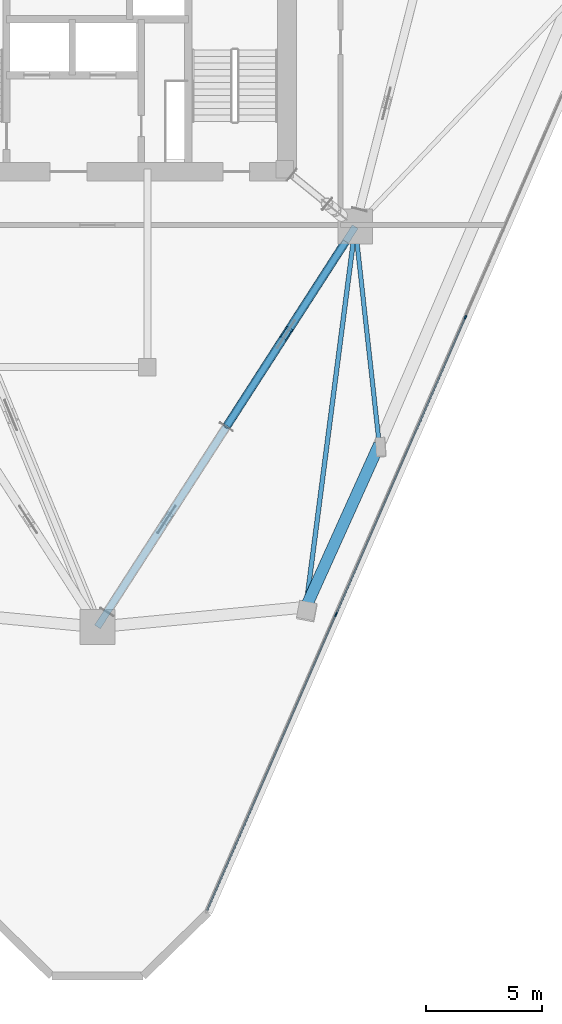
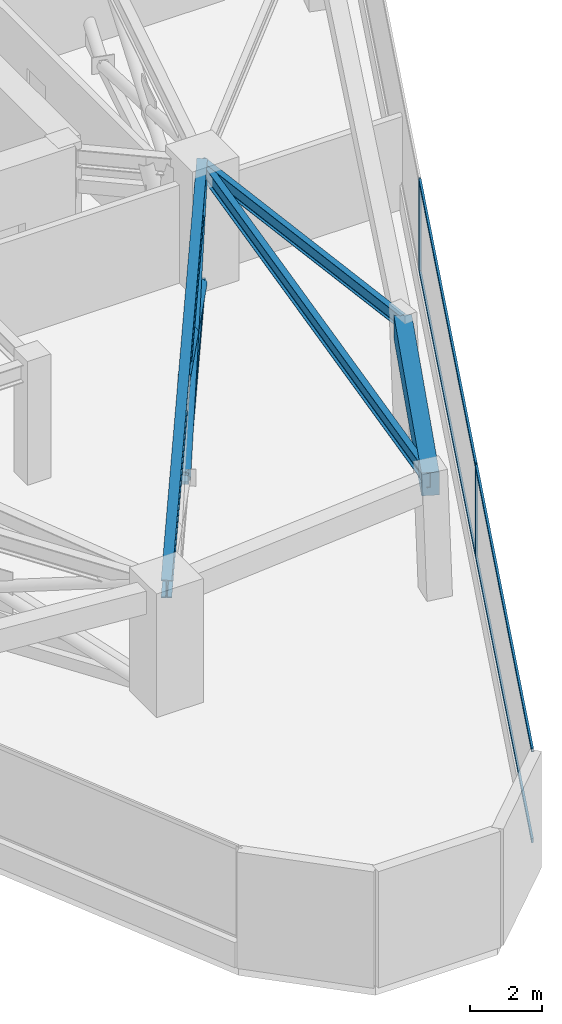
# One storey, part 4 of 13: 11 members, 4 beams, 1 element without a shape of its own.
"""IFC4 building model written with IfcOpenShell, lengths in metres."""

from ifc_helpers import new_model, si_unit, direction, frame, origin, origin_2d, place, context, subcontext, project, spatial, rectangle, hollow_rectangle, hollow_circle, i_section, extrude, material, layer, layer_set, material_profile, profile_set, type_object, element, aggregate, save


model = new_model("IFC4")

# Units and contexts
model_context = context("Model", 3, precision=1e-05, world=origin(), true_north=direction((0.0, 1.0)))
body_context = subcontext(model_context, "Body", "Model", "MODEL_VIEW")
ifc_project = project(units=[si_unit("LENGTHUNIT", "METRE"), si_unit("AREAUNIT", "SQUARE_METRE"), si_unit("VOLUMEUNIT", "CUBIC_METRE"), si_unit("PLANEANGLEUNIT", "RADIAN"), si_unit("MASSUNIT", "GRAM", prefix="KILO")], contexts=[model_context])

# Site, building, storey
site_placement = place(None, origin())
site = spatial("IfcSite", under=ifc_project, at=site_placement, CompositionType="ELEMENT")
building_placement = place(site_placement, origin())
building = spatial("IfcBuilding", under=site, at=building_placement, Name="Talyreon Biosciences Tower", CompositionType="ELEMENT")
storey_placement = place(building_placement, frame((0.0, 0.0, 175.199951171875)))
storey = spatial("IfcBuildingStorey", under=building, at=storey_placement, Name="L46", CompositionType="ELEMENT", Elevation=175.199951171875)

# Members
ifc_material_1 = material(Name="Steel SM355", Category="steel")
ifc_material_profile_1 = material_profile(ifc_material_1, hollow_circle(Radius=0.177734375, WallThickness=0.01416015625, at=origin_2d()), Name="CHS 355.6x14.2")
ifc_profile_set_1 = profile_set([ifc_material_profile_1], Name="Steel SM355")
member_type_1 = type_object("IfcMemberType", Name="BeltBrace_CHS355", PredefinedType="BRACE", material=ifc_profile_set_1)
member_1_placement = place(storey_placement, frame((71.543212890625, 50.273681640625, 0.239990234375), z_axis=(0.508627213413, 0.789740603119, 0.342940428588), x_axis=(-0.840724531563, 0.541463075405, 0.0)))
element("IfcMember", 1, at=member_1_placement, inside=storey, type_object=member_type_1, Name="L46 Continuous Diagonal BELT-L46-B1S2A", PredefinedType="BRACE", context=body_context, shape_type="SweptSolid", body=[
    extrude(hollow_circle(Radius=0.177734375, WallThickness=0.01416015625, at=origin_2d()), origin(), (0.0, 0.0, 1.0), 10.089111328125),
])
member_2_placement = place(storey_placement, frame((76.6748046875, 58.241455078125, 0.239990234375), z_axis=(-0.50864093812, -0.789733331243, 0.34293681866), x_axis=(0.840715610719, -0.541476926465, 0.0)))
element("IfcMember", 2, at=member_2_placement, inside=storey, type_object=member_type_1, Name="L46 Split Diagonal BELT-L46-B1S2B-Lower", PredefinedType="BRACE", context=body_context, shape_type="SweptSolid", body=[
    extrude(hollow_circle(Radius=0.177734375, WallThickness=0.01416015625, at=origin_2d()), origin(), (0.0, 0.0, 1.0), 4.764892578125),
])
member_3_placement = place(storey_placement, frame((73.966552734375, 54.036376953125, 2.066162109375), z_axis=(-0.508632474612, -0.789748508838, 0.342914418709), x_axis=(0.840724449388, -0.541463202999, 0.0)))
element("IfcMember", 3, at=member_3_placement, inside=storey, type_object=member_type_1, Name="L46 Split Diagonal BELT-L46-B1S2B-Upper", PredefinedType="BRACE", context=body_context, shape_type="SweptSolid", body=[
    extrude(hollow_circle(Radius=0.177734375, WallThickness=0.01416015625, at=origin_2d()), origin(), (0.0, 0.0, 1.0), 4.764404296875),
])
ifc_material_profile_2 = material_profile(ifc_material_1, hollow_rectangle(XDim=0.25, YDim=0.39990234375, WallThickness=0.01611328125, at=origin_2d()), Name="RHS 400x250x16")
ifc_profile_set_2 = profile_set([ifc_material_profile_2], Name="Steel SM355")
member_type_2 = type_object("IfcMemberType", Name="BeltChord_RHS400x250", PredefinedType="CHORD", material=ifc_profile_set_2)
for number, where, z_axis, x_axis, name in (
    (4, (71.543212890625, 50.273681640625, 0.239990234375), (0.541463075405, 0.840724531563, 0.0), (-0.840724531563, 0.541463075405, 0.0), "L46 Truss Bottom Chord BELT-L46-B1S2"),
    (5, (71.543212890625, 50.273681640625, 3.699951171875), (0.541463075405, 0.840724531563, 0.0), (-0.840724531563, 0.541463075405, 0.0), "L46 Truss Top Chord BELT-L46-B1S2"),
):
    element("IfcMember", number, at=place(storey_placement, frame(where, z_axis=z_axis, x_axis=x_axis)), inside=storey, type_object=member_type_2, Name=name, PredefinedType="CHORD", context=body_context, shape_type="SweptSolid", body=[
        extrude(hollow_rectangle(XDim=0.25, YDim=0.39990234375, WallThickness=0.01611328125, at=origin_2d()), origin(), (0.0, 0.0, 1.0), 9.477294921875),
    ])

# Curtain wall, members
ifc_material_2 = material(Name="Thermally broken aluminium and low-E glazing", Category="aluminium")
ifc_layer = layer(ifc_material_2, 0.18505859375)
ifc_layer_set = layer_set([ifc_layer], Name="Thermally broken aluminium and low-E glazing")
curtain_wall_type = type_object("IfcCurtainWallType", Name="CurtainWall_Zone3Bioprocess", PredefinedType="NOTDEFINED", material=ifc_layer_set)
curtain_wall_placement = place(storey_placement, origin())
curtain_wall = element("IfcCurtainWall", 6, at=curtain_wall_placement, inside=storey, type_object=curtain_wall_type, Name="L46 Unitised Curtain Wall FCW-L46-08", PredefinedType="NOTDEFINED")
ifc_material_3 = material(Name="Anodised thermally broken aluminium", Category="aluminium")
ifc_material_profile_3 = material_profile(ifc_material_3, rectangle(XDim=0.06494140625, YDim=0.179931640625, at=origin_2d()), Name="ALUM MULLION 65x180")
ifc_profile_set_3 = profile_set([ifc_material_profile_3], Name="Anodised thermally broken aluminium")
member_type_3 = type_object("IfcMemberType", Name="CWMullion_65x180", PredefinedType="MULLION", material=ifc_profile_set_3)
member_4_placement = place(storey_placement, frame((81.824951171875, 54.984375, 0.81005859375), z_axis=(0.0, 0.0, 1.0), x_axis=(0.916820215501, -0.399300253505, 0.0)))
member_4 = element("IfcMember", 7, at=member_4_placement, type_object=member_type_3, Name="CW4 mullion 3", PredefinedType="MULLION", context=body_context, shape_type="SweptSolid", body=[
    extrude(rectangle(XDim=0.06494140625, YDim=0.179931640625, at=origin_2d()), origin(), (0.0, 0.0, 1.0), 3.139892578125),
])
member_5_placement = place(storey_placement, frame((76.259521484375, 42.205810546875, 0.81005859375), z_axis=(0.0, 0.0, 1.0), x_axis=(0.916820215501, -0.399300253505, 0.0)))
member_5 = element("IfcMember", 8, at=member_5_placement, type_object=member_type_3, Name="CW4 mullion 4", PredefinedType="MULLION", context=body_context, shape_type="SweptSolid", body=[
    extrude(rectangle(XDim=0.06494140625, YDim=0.179931640625, at=origin_2d()), origin(), (0.0, 0.0, 1.0), 3.139892578125),
])
ifc_material_profile_4 = material_profile(ifc_material_3, rectangle(XDim=0.06494140625, YDim=0.139892578125, at=origin_2d()), Name="ALUM TRANSOM 65x140")
ifc_profile_set_4 = profile_set([ifc_material_profile_4], Name="Anodised thermally broken aluminium")
member_type_4 = type_object("IfcMemberType", Name="CWTransom_65x140", PredefinedType="USERDEFINED", material=ifc_profile_set_4)
member_6_placement = place(storey_placement, frame((81.81201171875, 54.95458984375, 0.842529296875), z_axis=(-0.399305180689, -0.916818069562, 0.0), x_axis=(0.916818069562, -0.399305180689, 0.0)))
member_6 = element("IfcMember", 9, at=member_6_placement, type_object=member_type_4, Name="CW4 transom 3.1", ObjectType="TRANSOM", PredefinedType="USERDEFINED", context=body_context, shape_type="SweptSolid", body=[
    extrude(rectangle(XDim=0.06494140625, YDim=0.139892578125, at=origin_2d()), origin(), (0.0, 0.0, 1.0), 13.873046875),
])
member_7_placement = place(storey_placement, frame((81.81201171875, 54.95458984375, 3.91748046875), z_axis=(-0.399305180689, -0.916818069562, 0.0), x_axis=(0.916818069562, -0.399305180689, 0.0)))
member_7 = element("IfcMember", 10, at=member_7_placement, type_object=member_type_4, Name="CW4 transom 3.2", ObjectType="TRANSOM", PredefinedType="USERDEFINED", context=body_context, shape_type="SweptSolid", body=[
    extrude(rectangle(XDim=0.06494140625, YDim=0.139892578125, at=origin_2d()), origin(), (0.0, 0.0, 1.0), 13.873046875),
])
member_8_placement = place(storey_placement, frame((76.24658203125, 42.176025390625, 0.842529296875), z_axis=(-0.399298814497, -0.916820842227, 0.0), x_axis=(0.916820842227, -0.399298814497, 0.0)))
member_8 = element("IfcMember", 11, at=member_8_placement, type_object=member_type_4, Name="CW4 transom 4.1", ObjectType="TRANSOM", PredefinedType="USERDEFINED", context=body_context, shape_type="SweptSolid", body=[
    extrude(rectangle(XDim=0.06494140625, YDim=0.139892578125, at=origin_2d()), origin(), (0.0, 0.0, 1.0), 13.840087890625),
])
member_9_placement = place(storey_placement, frame((76.24658203125, 42.176025390625, 3.91748046875), z_axis=(-0.399298814497, -0.916820842227, 0.0), x_axis=(0.916820842227, -0.399298814497, 0.0)))
member_9 = element("IfcMember", 12, at=member_9_placement, type_object=member_type_4, Name="CW4 transom 4.2", ObjectType="TRANSOM", PredefinedType="USERDEFINED", context=body_context, shape_type="SweptSolid", body=[
    extrude(rectangle(XDim=0.06494140625, YDim=0.139892578125, at=origin_2d()), origin(), (0.0, 0.0, 1.0), 13.840087890625),
])
aggregate(curtain_wall, [member_4, member_5, member_6, member_7, member_8, member_9])

# Beams
ifc_material_4 = material(Name="Precast concrete C45/55", Category="concrete")
ifc_material_profile_5 = material_profile(ifc_material_4, rectangle(XDim=0.5, YDim=0.780029296875, at=origin_2d()), Name="RCB 500x780")
ifc_profile_set_5 = profile_set([ifc_material_profile_5], Name="Precast concrete C45/55")
beam_type_1 = type_object("IfcBeamType", Name="ExpressedSpandrel_500x780", PredefinedType="SPANDREL", material=ifc_profile_set_5)
beam_1_placement = place(storey_placement, frame((74.9658203125, 42.519775390625, 3.56005859375), z_axis=(0.411042974278, 0.911615968101, 0.0), x_axis=(-0.911615968101, 0.411042974278, 0.0)))
element("IfcBeam", 13, at=beam_1_placement, inside=storey, type_object=beam_type_1, Name="L46 Expressed Horizontal Concrete Spandrel 02", PredefinedType="SPANDREL", context=body_context, shape_type="SweptSolid", body=[
    extrude(rectangle(XDim=0.5, YDim=0.780029296875, at=origin_2d()), origin(), (0.0, 0.0, 1.0), 7.67626953125),
])
ifc_material_profile_6 = material_profile(ifc_material_1, i_section(OverallWidth=0.300048828125, OverallDepth=0.60009765625, WebThickness=0.015380859375, FlangeThickness=0.030029296875, FilletRadius=0.027099609375, at=origin_2d()), Name="HE600B")
ifc_profile_set_6 = profile_set([ifc_material_profile_6], Name="Steel SM355")
beam_type_2 = type_object("IfcBeamType", Name="SteelBeam_HE600B", PredefinedType="BEAM", material=ifc_profile_set_6)
beam_2_placement = place(storey_placement, frame((66.0, 41.6669921875, 3.650146484375), z_axis=(0.541463723609, 0.840724114092, 0.0), x_axis=(-0.840724114092, 0.541463723609, 0.0)))
element("IfcBeam", 14, at=beam_2_placement, inside=storey, type_object=beam_type_2, Name="L46 Mega-Ring Girder 1", PredefinedType="BEAM", context=body_context, shape_type="SweptSolid", body=[
    extrude(i_section(OverallWidth=0.300048828125, OverallDepth=0.60009765625, WebThickness=0.015380859375, FlangeThickness=0.030029296875, FilletRadius=0.027099609375, at=origin_2d()), origin(), (0.0, 0.0, 1.0), 20.474365234375),
])
ifc_material_profile_7 = material_profile(ifc_material_1, i_section(OverallWidth=0.18994140625, OverallDepth=0.449951171875, WebThickness=0.009521484375, FlangeThickness=0.0146484375, FilletRadius=0.02099609375, at=origin_2d()), Name="IPE450")
ifc_profile_set_7 = profile_set([ifc_material_profile_7], Name="Steel SM355")
beam_type_3 = type_object("IfcBeamType", Name="SteelJoist_IPE450", PredefinedType="JOIST", material=ifc_profile_set_7)
beam_3_placement = place(storey_placement, frame((77.086181640625, 58.88037109375, 3.72509765625), z_axis=(0.109865426142, -0.993946471465, 0.0), x_axis=(0.993946471465, 0.109865426142, 0.0)))
element("IfcBeam", 15, at=beam_3_placement, inside=storey, type_object=beam_type_3, Name="L46 Radial Composite Floor Joist PL-SE", PredefinedType="JOIST", context=body_context, shape_type="SweptSolid", body=[
    extrude(i_section(OverallWidth=0.18994140625, OverallDepth=0.449951171875, WebThickness=0.009521484375, FlangeThickness=0.0146484375, FilletRadius=0.02099609375, at=origin_2d()), origin(), (0.0, 0.0, 1.0), 9.419921875),
])
ifc_material_profile_8 = material_profile(ifc_material_1, i_section(OverallWidth=0.199951171875, OverallDepth=0.5, WebThickness=0.01025390625, FlangeThickness=0.01611328125, FilletRadius=0.02099609375, at=origin_2d()), Name="IPE500")
ifc_profile_set_8 = profile_set([ifc_material_profile_8], Name="Steel SM355")
beam_type_4 = type_object("IfcBeamType", Name="SteelJoist_IPE500", PredefinedType="JOIST", material=ifc_profile_set_8)
beam_4_placement = place(storey_placement, frame((77.086181640625, 58.88037109375, 3.699951171875), z_axis=(-0.12852680695, -0.99170603502, 0.0), x_axis=(0.99170603502, -0.12852680695, 0.0)))
element("IfcBeam", 16, at=beam_4_placement, inside=storey, type_object=beam_type_4, Name="L46 Radial Composite Floor Joist PC-SE1", PredefinedType="JOIST", context=body_context, shape_type="SweptSolid", body=[
    extrude(i_section(OverallWidth=0.199951171875, OverallDepth=0.5, WebThickness=0.01025390625, FlangeThickness=0.01611328125, FilletRadius=0.02099609375, at=origin_2d()), origin(), (0.0, 0.0, 1.0), 16.497314453125),
])

save(model, "model.ifc")
